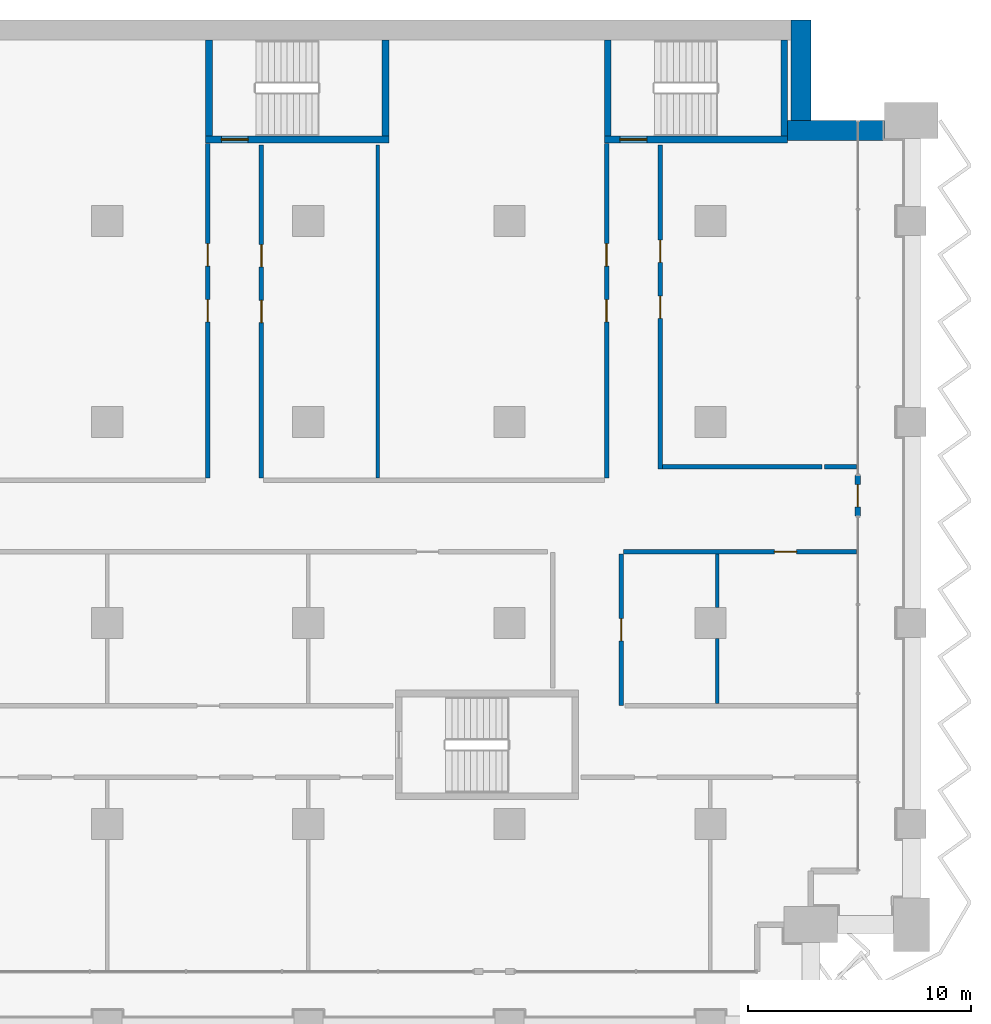
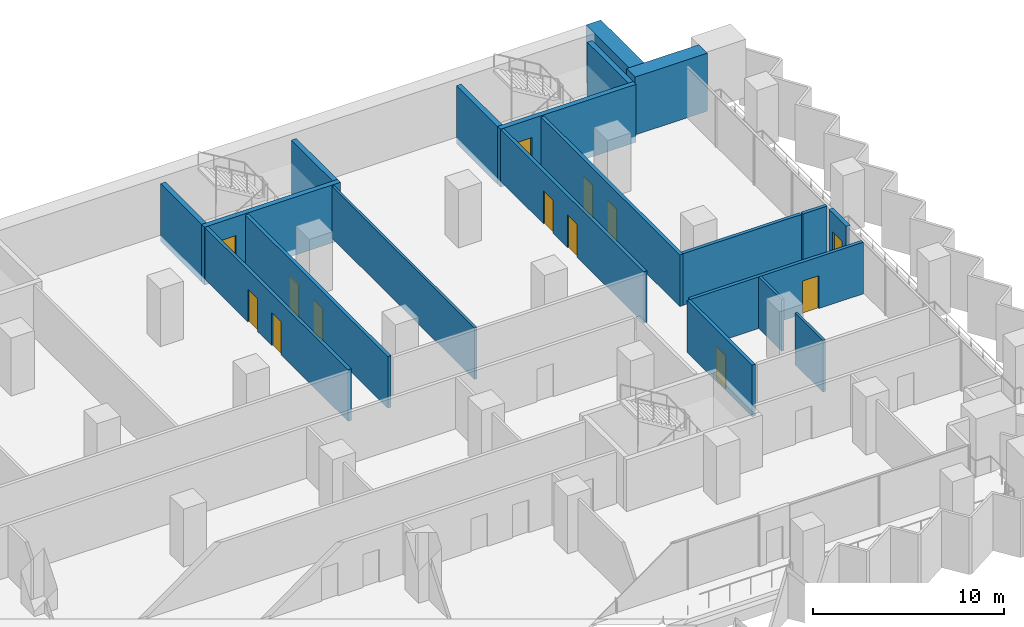
# One storey, part 18 of 28: 20 walls, 13 doors, 13 openings.
"""IFC4 building model written with IfcOpenShell, lengths in metres."""

from ifc_helpers import new_model, si_unit, direction, frame, frame_2d, origin, place, context, subcontext, project, spatial, rectangle, extrude, material, layer, layer_set, type_object, element, fill, save


model = new_model("IFC4")

# Units and contexts
model_context = context("Model", 3, precision=1e-05, world=origin(), true_north=direction((0.0, 1.0)))
body_context = subcontext(model_context, "Body", "Model", "MODEL_VIEW")
ifc_project = project(units=[si_unit("LENGTHUNIT", "METRE"), si_unit("AREAUNIT", "SQUARE_METRE"), si_unit("VOLUMEUNIT", "CUBIC_METRE"), si_unit("PLANEANGLEUNIT", "RADIAN"), si_unit("MASSUNIT", "GRAM", prefix="KILO")], contexts=[model_context])

# Site, building, storey
site_placement = place(None, origin())
site = spatial("IfcSite", under=ifc_project, at=site_placement, CompositionType="ELEMENT")
building_placement = place(site_placement, origin())
building = spatial("IfcBuilding", under=site, at=building_placement, Name="Hunhe Ridgeline Campus", CompositionType="ELEMENT")
storey_placement = place(building_placement, frame((0.0, 0.0, 72.800048828125)))
storey = spatial("IfcBuildingStorey", under=building, at=storey_placement, Name="L17", CompositionType="ELEMENT", Elevation=72.800048828125)

# Wall, opening, door
ifc_material_1 = material(Name="Gypsum board partition")
ifc_layer_1 = layer(ifc_material_1, 0.199951171875)
ifc_layer_set_1 = layer_set([ifc_layer_1], Name="Corridor partition 200 gypsum board on steel studs")
wall_type_1 = type_object("IfcWallType", Name="Corridor partition 200 gypsum board on steel studs", PredefinedType="PARTITIONING", material=ifc_layer_set_1)
wall_1_placement = place(storey_placement, frame((96.544921875, 75.199951171875, 0.0), z_axis=(0.0, 0.0, 1.0), x_axis=(-1.0, 0.0, 0.0)))
wall_1 = element("IfcWall", 1, at=wall_1_placement, inside=storey, type_object=wall_type_1, Name="F-L17-wall-038", PredefinedType="PARTITIONING", context=body_context, shape_type="SweptSolid", body=[
    extrude(rectangle(XDim=10.44482421875, YDim=0.199951171875, at=frame_2d((5.222412109375, 0.0))), origin(), (0.0, 0.0, 1.0), 3.300048828125),
])
opening_1_placement = place(wall_1_placement, frame((2.6845703125, 0.0, 0.0)))
opening_1 = element("IfcOpeningElement", 2, at=opening_1_placement, cuts=wall_1, Name="Opening RD1-035", PredefinedType="OPENING", context=body_context, shape_type="SweptSolid", body=[
    extrude(rectangle(XDim=1.0, YDim=2.10009765625, at=frame_2d((0.5, 1.050048828125))), frame((0.0, 0.10009765625, 0.0), z_axis=(0.0, -1.0, 0.0), x_axis=(1.0, 0.0, 0.0)), (0.0, 0.0, 1.0), 0.199951171875),
])
ifc_material_2 = material(Name="Timber door leaf", Category="wood")
door_type_1 = type_object("IfcDoorType", Name="Single fire door 1000x2100 timber FD60", OperationType="NOTDEFINED", PredefinedType="DOOR", material=ifc_material_2)
door_1_placement = place(opening_1_placement, origin())
door_1 = element("IfcDoor", 3, at=door_1_placement, inside=storey, type_object=door_type_1, Name="F-L17-door-035", OperationType="SINGLE_SWING_RIGHT", OverallHeight=2.10009765625, OverallWidth=1.0, PredefinedType="DOOR", context=body_context, shape_type="SweptSolid", body=[
    extrude(rectangle(XDim=1.0, YDim=2.10009765625, at=frame_2d((0.5, 1.050048828125))), frame((0.0, 0.02490234375, 0.0), z_axis=(0.0, -1.0, 0.0), x_axis=(1.0, 0.0, 0.0)), (0.0, 0.0, 1.0), 0.050048828125),
])
fill(opening_1, door_1)

# Walls
wall_2_placement = place(storey_placement, frame((87.85009765625, 79.0009765625, 0.0), z_axis=(0.0, 0.0, 1.0), x_axis=(1.0, 0.0, 0.0)))
element("IfcWall", 4, at=wall_2_placement, inside=storey, type_object=wall_type_1, Name="F-L17-wall-041", PredefinedType="PARTITIONING", context=body_context, shape_type="SweptSolid", body=[
    extrude(rectangle(XDim=7.14892578125, YDim=0.199951171875, at=frame_2d((3.574462890625, 0.0))), origin(), (0.0, 0.0, 1.0), 3.300048828125),
])
wall_3_placement = place(storey_placement, frame((95.09912109375, 79.0009765625, 0.0), z_axis=(0.0, 0.0, 1.0), x_axis=(1.0, 0.0, 0.0)))
element("IfcWall", 5, at=wall_3_placement, inside=storey, type_object=wall_type_1, Name="F-L17-wall-042", PredefinedType="PARTITIONING", context=body_context, shape_type="SweptSolid", body=[
    extrude(rectangle(XDim=1.44580078125, YDim=0.199951171875, at=frame_2d((0.722900390625, 0.0))), origin(), (0.0, 0.0, 1.0), 3.300048828125),
])

# Wall, openings, doors
wall_4_placement = place(storey_placement, frame((67.5, 78.5, 0.0), z_axis=(0.0, 0.0, 1.0), x_axis=(0.0, 1.0, 0.0)))
wall_4 = element("IfcWall", 6, at=wall_4_placement, inside=storey, type_object=wall_type_1, Name="F-L17-wall-078", PredefinedType="PARTITIONING", context=body_context, shape_type="SweptSolid", body=[
    extrude(rectangle(XDim=14.969970703125, YDim=0.199951171875, at=frame_2d((7.48486328125, 0.0))), origin(), (0.0, 0.0, 1.0), 3.300048828125),
])
opening_2_placement = place(wall_4_placement, frame((6.985107421875, 0.0, 0.0)))
opening_2 = element("IfcOpeningElement", 7, at=opening_2_placement, cuts=wall_4, Name="Opening RD1-040", PredefinedType="OPENING", context=body_context, shape_type="SweptSolid", body=[
    extrude(rectangle(XDim=1.0, YDim=2.10009765625, at=frame_2d((0.5, 1.050048828125))), frame((0.0, 0.10009765625, 0.0), z_axis=(0.0, -1.0, 0.0), x_axis=(1.0, 0.0, 0.0)), (0.0, 0.0, 1.0), 0.199951171875),
])
opening_3_placement = place(wall_4_placement, frame((9.485107421875, 0.0, 0.0)))
opening_3 = element("IfcOpeningElement", 8, at=opening_3_placement, cuts=wall_4, Name="Opening RD1-045", PredefinedType="OPENING", context=body_context, shape_type="SweptSolid", body=[
    extrude(rectangle(XDim=1.0, YDim=2.10009765625, at=frame_2d((0.5, 1.050048828125))), frame((0.0, 0.10009765625, 0.0), z_axis=(0.0, -1.0, 0.0), x_axis=(1.0, 0.0, 0.0)), (0.0, 0.0, 1.0), 0.199951171875),
])
door_2_placement = place(opening_2_placement, frame((1.0, 0.0, 0.0), z_axis=(0.0, 0.0, 1.0), x_axis=(-1.0, 0.0, 0.0)))
door_2 = element("IfcDoor", 9, at=door_2_placement, inside=storey, type_object=door_type_1, Name="F-L17-door-040", OperationType="SINGLE_SWING_LEFT", OverallHeight=2.10009765625, OverallWidth=1.0, PredefinedType="DOOR", context=body_context, shape_type="SweptSolid", body=[
    extrude(rectangle(XDim=1.0, YDim=2.10009765625, at=frame_2d((0.5, 1.050048828125))), frame((0.0, 0.02490234375, 0.0), z_axis=(0.0, -1.0, 0.0), x_axis=(1.0, 0.0, 0.0)), (0.0, 0.0, 1.0), 0.050048828125),
])
fill(opening_2, door_2)
door_3_placement = place(opening_3_placement, frame((1.0, 0.0, 0.0), z_axis=(0.0, 0.0, 1.0), x_axis=(-1.0, 0.0, 0.0)))
door_3 = element("IfcDoor", 10, at=door_3_placement, inside=storey, type_object=door_type_1, Name="F-L17-door-045", OperationType="SINGLE_SWING_LEFT", OverallHeight=2.10009765625, OverallWidth=1.0, PredefinedType="DOOR", context=body_context, shape_type="SweptSolid", body=[
    extrude(rectangle(XDim=1.0, YDim=2.10009765625, at=frame_2d((0.5, 1.050048828125))), frame((0.0, 0.02490234375, 0.0), z_axis=(0.0, -1.0, 0.0), x_axis=(1.0, 0.0, 0.0)), (0.0, 0.0, 1.0), 0.050048828125),
])
fill(opening_3, door_3)

wall_5_placement = place(storey_placement, frame((69.89990234375, 93.39599609375, 0.0), z_axis=(0.0, 0.0, 1.0), x_axis=(0.0, -1.0, 0.0)))
wall_5 = element("IfcWall", 11, at=wall_5_placement, inside=storey, type_object=wall_type_1, Name="F-L17-wall-079", PredefinedType="PARTITIONING", context=body_context, shape_type="SweptSolid", body=[
    extrude(rectangle(XDim=14.89599609375, YDim=0.199951171875, at=frame_2d((7.447998046875, 0.0))), origin(), (0.0, 0.0, 1.0), 3.300048828125),
])
opening_4_placement = place(wall_5_placement, frame((6.947998046875, 0.0, 0.0)))
opening_4 = element("IfcOpeningElement", 12, at=opening_4_placement, cuts=wall_5, Name="Opening RD1-039", PredefinedType="OPENING", context=body_context, shape_type="SweptSolid", body=[
    extrude(rectangle(XDim=1.0, YDim=2.10009765625, at=frame_2d((0.5, 1.050048828125))), frame((0.0, 0.10009765625, 0.0), z_axis=(0.0, -1.0, 0.0), x_axis=(1.0, 0.0, 0.0)), (0.0, 0.0, 1.0), 0.199951171875),
])
opening_5_placement = place(wall_5_placement, frame((4.447998046875, 0.0, 0.0)))
opening_5 = element("IfcOpeningElement", 13, at=opening_5_placement, cuts=wall_5, Name="Opening RD1-044", PredefinedType="OPENING", context=body_context, shape_type="SweptSolid", body=[
    extrude(rectangle(XDim=1.0, YDim=2.10009765625, at=frame_2d((0.5, 1.050048828125))), frame((0.0, 0.10009765625, 0.0), z_axis=(0.0, -1.0, 0.0), x_axis=(1.0, 0.0, 0.0)), (0.0, 0.0, 1.0), 0.199951171875),
])
door_4_placement = place(opening_4_placement, frame((1.0, 0.0, 0.0), z_axis=(0.0, 0.0, 1.0), x_axis=(-1.0, 0.0, 0.0)))
door_4 = element("IfcDoor", 14, at=door_4_placement, inside=storey, type_object=door_type_1, Name="F-L17-door-039", OperationType="SINGLE_SWING_RIGHT", OverallHeight=2.10009765625, OverallWidth=1.0, PredefinedType="DOOR", context=body_context, shape_type="SweptSolid", body=[
    extrude(rectangle(XDim=1.0, YDim=2.10009765625, at=frame_2d((0.5, 1.050048828125))), frame((0.0, 0.02490234375, 0.0), z_axis=(0.0, -1.0, 0.0), x_axis=(1.0, 0.0, 0.0)), (0.0, 0.0, 1.0), 0.050048828125),
])
fill(opening_4, door_4)
door_5_placement = place(opening_5_placement, frame((1.0, 0.0, 0.0), z_axis=(0.0, 0.0, 1.0), x_axis=(-1.0, 0.0, 0.0)))
door_5 = element("IfcDoor", 15, at=door_5_placement, inside=storey, type_object=door_type_1, Name="F-L17-door-044", OperationType="SINGLE_SWING_RIGHT", OverallHeight=2.10009765625, OverallWidth=1.0, PredefinedType="DOOR", context=body_context, shape_type="SweptSolid", body=[
    extrude(rectangle(XDim=1.0, YDim=2.10009765625, at=frame_2d((0.5, 1.050048828125))), frame((0.0, 0.02490234375, 0.0), z_axis=(0.0, -1.0, 0.0), x_axis=(1.0, 0.0, 0.0)), (0.0, 0.0, 1.0), 0.050048828125),
])
fill(opening_5, door_5)

wall_6_placement = place(storey_placement, frame((85.35009765625, 78.5, 0.0), z_axis=(0.0, 0.0, 1.0), x_axis=(0.0, 1.0, 0.0)))
wall_6 = element("IfcWall", 16, at=wall_6_placement, inside=storey, type_object=wall_type_1, Name="F-L17-wall-086", PredefinedType="PARTITIONING", context=body_context, shape_type="SweptSolid", body=[
    extrude(rectangle(XDim=14.969970703125, YDim=0.199951171875, at=frame_2d((7.48486328125, 0.0))), origin(), (0.0, 0.0, 1.0), 3.300048828125),
])
opening_6_placement = place(wall_6_placement, frame((6.985107421875, 0.0, 0.0)))
opening_6 = element("IfcOpeningElement", 17, at=opening_6_placement, cuts=wall_6, Name="Opening RD1-041", PredefinedType="OPENING", context=body_context, shape_type="SweptSolid", body=[
    extrude(rectangle(XDim=1.0, YDim=2.10009765625, at=frame_2d((0.5, 1.050048828125))), frame((0.0, 0.10009765625, 0.0), z_axis=(0.0, -1.0, 0.0), x_axis=(1.0, 0.0, 0.0)), (0.0, 0.0, 1.0), 0.199951171875),
])
opening_7_placement = place(wall_6_placement, frame((9.485107421875, 0.0, 0.0)))
opening_7 = element("IfcOpeningElement", 18, at=opening_7_placement, cuts=wall_6, Name="Opening RD1-046", PredefinedType="OPENING", context=body_context, shape_type="SweptSolid", body=[
    extrude(rectangle(XDim=1.0, YDim=2.10009765625, at=frame_2d((0.5, 1.050048828125))), frame((0.0, 0.10009765625, 0.0), z_axis=(0.0, -1.0, 0.0), x_axis=(1.0, 0.0, 0.0)), (0.0, 0.0, 1.0), 0.199951171875),
])
door_6_placement = place(opening_6_placement, frame((1.0, 0.0, 0.0), z_axis=(0.0, 0.0, 1.0), x_axis=(-1.0, 0.0, 0.0)))
door_6 = element("IfcDoor", 19, at=door_6_placement, inside=storey, type_object=door_type_1, Name="F-L17-door-041", OperationType="SINGLE_SWING_LEFT", OverallHeight=2.10009765625, OverallWidth=1.0, PredefinedType="DOOR", context=body_context, shape_type="SweptSolid", body=[
    extrude(rectangle(XDim=1.0, YDim=2.10009765625, at=frame_2d((0.5, 1.050048828125))), frame((0.0, 0.02490234375, 0.0), z_axis=(0.0, -1.0, 0.0), x_axis=(1.0, 0.0, 0.0)), (0.0, 0.0, 1.0), 0.050048828125),
])
fill(opening_6, door_6)
door_7_placement = place(opening_7_placement, frame((1.0, 0.0, 0.0), z_axis=(0.0, 0.0, 1.0), x_axis=(-1.0, 0.0, 0.0)))
door_7 = element("IfcDoor", 20, at=door_7_placement, inside=storey, type_object=door_type_1, Name="F-L17-door-046", OperationType="SINGLE_SWING_LEFT", OverallHeight=2.10009765625, OverallWidth=1.0, PredefinedType="DOOR", context=body_context, shape_type="SweptSolid", body=[
    extrude(rectangle(XDim=1.0, YDim=2.10009765625, at=frame_2d((0.5, 1.050048828125))), frame((0.0, 0.02490234375, 0.0), z_axis=(0.0, -1.0, 0.0), x_axis=(1.0, 0.0, 0.0)), (0.0, 0.0, 1.0), 0.050048828125),
])
fill(opening_7, door_7)

# Wall, opening, door
wall_7_placement = place(storey_placement, frame((86.0, 75.10009765625, 0.0), z_axis=(0.0, 0.0, 1.0), x_axis=(0.0, -1.0, 0.0)))
wall_7 = element("IfcWall", 21, at=wall_7_placement, inside=storey, type_object=wall_type_1, Name="F-L17-wall-087", PredefinedType="PARTITIONING", context=body_context, shape_type="SweptSolid", body=[
    extrude(rectangle(XDim=6.800048828125, YDim=0.199951171875, at=frame_2d((3.39990234375, 0.0))), origin(), (0.0, 0.0, 1.0), 3.300048828125),
])
opening_8_placement = place(wall_7_placement, frame((2.89990234375, 0.0, 0.0)))
opening_8 = element("IfcOpeningElement", 22, at=opening_8_placement, cuts=wall_7, Name="Opening RD1-033", PredefinedType="OPENING", context=body_context, shape_type="SweptSolid", body=[
    extrude(rectangle(XDim=1.0, YDim=2.10009765625, at=frame_2d((0.5, 1.050048828125))), frame((0.0, 0.10009765625, 0.0), z_axis=(0.0, -1.0, 0.0), x_axis=(1.0, 0.0, 0.0)), (0.0, 0.0, 1.0), 0.199951171875),
])
door_8_placement = place(opening_8_placement, origin())
door_8 = element("IfcDoor", 23, at=door_8_placement, inside=storey, type_object=door_type_1, Name="F-L17-door-033", OperationType="SINGLE_SWING_LEFT", OverallHeight=2.10009765625, OverallWidth=1.0, PredefinedType="DOOR", context=body_context, shape_type="SweptSolid", body=[
    extrude(rectangle(XDim=1.0, YDim=2.10009765625, at=frame_2d((0.5, 1.050048828125))), frame((0.0, 0.02490234375, 0.0), z_axis=(0.0, -1.0, 0.0), x_axis=(1.0, 0.0, 0.0)), (0.0, 0.0, 1.0), 0.050048828125),
])
fill(opening_8, door_8)

# Wall, openings, doors
wall_8_placement = place(storey_placement, frame((87.75, 93.39599609375, 0.0), z_axis=(0.0, 0.0, 1.0), x_axis=(0.0, -1.0, 0.0)))
wall_8 = element("IfcWall", 24, at=wall_8_placement, inside=storey, type_object=wall_type_1, Name="F-L17-wall-088", PredefinedType="PARTITIONING", context=body_context, shape_type="SweptSolid", body=[
    extrude(rectangle(XDim=14.50537109375, YDim=0.199951171875, at=frame_2d((7.252685546875, 0.0))), origin(), (0.0, 0.0, 1.0), 3.300048828125),
])
opening_9_placement = place(wall_8_placement, frame((6.752685546875, 0.0, 0.0)))
opening_9 = element("IfcOpeningElement", 25, at=opening_9_placement, cuts=wall_8, Name="Opening RD1-042", PredefinedType="OPENING", context=body_context, shape_type="SweptSolid", body=[
    extrude(rectangle(XDim=1.0, YDim=2.10009765625, at=frame_2d((0.5, 1.050048828125))), frame((0.0, 0.10009765625, 0.0), z_axis=(0.0, -1.0, 0.0), x_axis=(1.0, 0.0, 0.0)), (0.0, 0.0, 1.0), 0.199951171875),
])
opening_10_placement = place(wall_8_placement, frame((4.252685546875, 0.0, 0.0)))
opening_10 = element("IfcOpeningElement", 26, at=opening_10_placement, cuts=wall_8, Name="Opening RD1-047", PredefinedType="OPENING", context=body_context, shape_type="SweptSolid", body=[
    extrude(rectangle(XDim=1.0, YDim=2.10009765625, at=frame_2d((0.5, 1.050048828125))), frame((0.0, 0.10009765625, 0.0), z_axis=(0.0, -1.0, 0.0), x_axis=(1.0, 0.0, 0.0)), (0.0, 0.0, 1.0), 0.199951171875),
])
door_9_placement = place(opening_9_placement, frame((1.0, 0.0, 0.0), z_axis=(0.0, 0.0, 1.0), x_axis=(-1.0, 0.0, 0.0)))
door_9 = element("IfcDoor", 27, at=door_9_placement, inside=storey, type_object=door_type_1, Name="F-L17-door-042", OperationType="SINGLE_SWING_RIGHT", OverallHeight=2.10009765625, OverallWidth=1.0, PredefinedType="DOOR", context=body_context, shape_type="SweptSolid", body=[
    extrude(rectangle(XDim=1.0, YDim=2.10009765625, at=frame_2d((0.5, 1.050048828125))), frame((0.0, 0.02490234375, 0.0), z_axis=(0.0, -1.0, 0.0), x_axis=(1.0, 0.0, 0.0)), (0.0, 0.0, 1.0), 0.050048828125),
])
fill(opening_9, door_9)
door_10_placement = place(opening_10_placement, frame((1.0, 0.0, 0.0), z_axis=(0.0, 0.0, 1.0), x_axis=(-1.0, 0.0, 0.0)))
door_10 = element("IfcDoor", 28, at=door_10_placement, inside=storey, type_object=door_type_1, Name="F-L17-door-047", OperationType="SINGLE_SWING_RIGHT", OverallHeight=2.10009765625, OverallWidth=1.0, PredefinedType="DOOR", context=body_context, shape_type="SweptSolid", body=[
    extrude(rectangle(XDim=1.0, YDim=2.10009765625, at=frame_2d((0.5, 1.050048828125))), frame((0.0, 0.02490234375, 0.0), z_axis=(0.0, -1.0, 0.0), x_axis=(1.0, 0.0, 0.0)), (0.0, 0.0, 1.0), 0.050048828125),
])
fill(opening_10, door_10)

# Wall, opening, door
ifc_material_3 = material(Name="Concrete C30", Category="concrete")
ifc_layer_2 = layer(ifc_material_3, 0.25)
ifc_layer_set_2 = layer_set([ifc_layer_2], Name="Loggia door pier wall 250 Concrete C30")
wall_type_2 = type_object("IfcWallType", Name="Loggia door pier wall 250 Concrete C30", PredefinedType="SOLIDWALL", material=ifc_layer_set_2)
wall_9_placement = place(storey_placement, frame((96.59912109375, 76.800537109375, 0.0), z_axis=(0.0, 0.0, 1.0), x_axis=(0.0, 1.0, 0.0)))
wall_9 = element("IfcWall", 29, at=wall_9_placement, inside=storey, type_object=wall_type_2, Name="Loggia door pier 5", PredefinedType="SOLIDWALL", context=body_context, shape_type="SweptSolid", body=[
    extrude(rectangle(XDim=1.800048828125, YDim=0.25, at=frame_2d((0.89990234375, 0.0))), origin(), (0.0, 0.0, 1.0), 3.300048828125),
])
opening_11_placement = place(wall_9_placement, frame((0.39990234375, 0.0, 0.0)))
opening_11 = element("IfcOpeningElement", 30, at=opening_11_placement, cuts=wall_9, Name="Opening BD108", PredefinedType="OPENING", context=body_context, shape_type="SweptSolid", body=[
    extrude(rectangle(XDim=1.0, YDim=2.10009765625, at=frame_2d((0.5, 1.050048828125))), frame((0.0, 0.125, 0.0), z_axis=(0.0, -1.0, 0.0), x_axis=(1.0, 0.0, 0.0)), (0.0, 0.0, 1.0), 0.25),
])
ifc_material_4 = material(Name="Aluminium 6063", Category="aluminium")
door_type_2 = type_object("IfcDoorType", Name="Loggia glazed door 1000x2100", OperationType="NOTDEFINED", PredefinedType="DOOR", material=ifc_material_4)
door_11_placement = place(opening_11_placement, frame((1.0, 0.0, 0.0), z_axis=(0.0, 0.0, 1.0), x_axis=(-1.0, 0.0, 0.0)))
door_11 = element("IfcDoor", 31, at=door_11_placement, inside=storey, type_object=door_type_2, Name="Loggia door BD108", OperationType="SINGLE_SWING_LEFT", OverallHeight=2.10009765625, OverallWidth=1.0, PredefinedType="DOOR", context=body_context, shape_type="SweptSolid", body=[
    extrude(rectangle(XDim=1.0, YDim=2.10009765625, at=frame_2d((0.5, 1.050048828125))), frame((0.0, 0.02490234375, 0.0), z_axis=(0.0, -1.0, 0.0), x_axis=(1.0, 0.0, 0.0)), (0.0, 0.0, 1.0), 0.050048828125),
])
fill(opening_11, door_11)

# Walls
ifc_layer_3 = layer(ifc_material_1, 0.14990234375)
ifc_layer_set_3 = layer_set([ifc_layer_3], Name="Room partition 150 gypsum board on steel studs")
wall_type_3 = type_object("IfcWallType", Name="Room partition 150 gypsum board on steel studs", PredefinedType="PARTITIONING", material=ifc_layer_set_3)
wall_10_placement = place(storey_placement, frame((75.10009765625, 93.39599609375, 0.0), z_axis=(0.0, 0.0, 1.0), x_axis=(0.0, -1.0, 0.0)))
element("IfcWall", 32, at=wall_10_placement, inside=storey, type_object=wall_type_3, Name="F-L17-wall-084", PredefinedType="PARTITIONING", context=body_context, shape_type="SweptSolid", body=[
    extrude(rectangle(XDim=14.89599609375, YDim=0.14990234375, at=frame_2d((7.447998046875, 0.0))), origin(), (0.0, 0.0, 1.0), 3.300048828125),
])
wall_11_placement = place(storey_placement, frame((90.300048828125, 71.300048828125, 0.0), z_axis=(0.0, 0.0, 1.0), x_axis=(0.0, -1.0, 0.0)))
element("IfcWall", 33, at=wall_11_placement, inside=storey, type_object=wall_type_3, Name="F-L17-wall-091", PredefinedType="PARTITIONING", context=body_context, shape_type="SweptSolid", body=[
    extrude(rectangle(XDim=2.900146484375, YDim=0.14990234375, at=frame_2d((1.4501953125, 0.0))), origin(), (0.0, 0.0, 1.0), 3.300048828125),
])
wall_12_placement = place(storey_placement, frame((90.300048828125, 75.10009765625, 0.0), z_axis=(0.0, 0.0, 1.0), x_axis=(0.0, -1.0, 0.0)))
element("IfcWall", 34, at=wall_12_placement, inside=storey, type_object=wall_type_3, Name="F-L17-wall-092", PredefinedType="PARTITIONING", context=body_context, shape_type="SweptSolid", body=[
    extrude(rectangle(XDim=2.400146484375, YDim=0.14990234375, at=frame_2d((1.2001953125, 0.0))), origin(), (0.0, 0.0, 1.0), 3.300048828125),
])
ifc_material_5 = material(Name="Concrete C80", Category="concrete")
ifc_layer_4 = layer(ifc_material_5, 0.89990234375)
ifc_layer_set_4 = layer_set([ifc_layer_4], Name="Spine wall 900 Concrete C80")
wall_type_4 = type_object("IfcWallType", Name="Spine wall 900 Concrete C80", PredefinedType="SHEAR", material=ifc_layer_set_4)
wall_13_placement = place(storey_placement, frame((97.800048828125, 94.050048828125, 0.0), z_axis=(0.0, 0.0, 1.0), x_axis=(-1.0, 0.0, 0.0)))
element("IfcWall", 35, at=wall_13_placement, inside=storey, type_object=wall_type_4, Name="Spine wall SW1-2 L17", PredefinedType="SHEAR", context=body_context, shape_type="SweptSolid", body=[
    extrude(rectangle(XDim=4.3505859375, YDim=0.89990234375, at=frame_2d((2.17529296875, 0.0))), origin(), (0.0, 0.0, 1.0), 3.699951171875),
])
wall_14_placement = place(storey_placement, frame((94.050048828125, 93.60009765625, 0.0), z_axis=(0.0, 0.0, 1.0), x_axis=(0.0, 1.0, 0.0)))
element("IfcWall", 36, at=wall_14_placement, inside=storey, type_object=wall_type_4, Name="Spine wall SW1-3 L17", PredefinedType="SHEAR", context=body_context, shape_type="SweptSolid", body=[
    extrude(rectangle(XDim=5.39990234375, YDim=0.89990234375, at=frame_2d((2.699951171875, 0.0))), origin(), (0.0, 0.0, 1.0), 3.699951171875),
])

# Wall, opening, door
ifc_layer_5 = layer(ifc_material_5, 0.300048828125)
ifc_layer_set_5 = layer_set([ifc_layer_5], Name="Stair wall 300 reinforced concrete C80")
wall_type_5 = type_object("IfcWallType", Name="Stair wall 300 reinforced concrete C80", PredefinedType="SOLIDWALL", material=ifc_layer_set_5)
wall_15_placement = place(storey_placement, frame((67.39990234375, 93.64990234375, -0.400146484375), z_axis=(0.0, 0.0, 1.0), x_axis=(1.0, 0.0, 0.0)))
wall_15 = element("IfcWall", 37, at=wall_15_placement, inside=storey, type_object=wall_type_5, Name="L17 core wall 32", PredefinedType="SOLIDWALL", context=body_context, shape_type="SweptSolid", body=[
    extrude(rectangle(XDim=8.2001953125, YDim=0.300048828125, at=frame_2d((4.10009765625, 0.0))), origin(), (0.0, 0.0, 1.0), 3.7001953125),
])
opening_12_placement = place(wall_15_placement, frame((0.699951171875, 0.0, 0.39990234375)))
opening_12 = element("IfcOpeningElement", 38, at=opening_12_placement, cuts=wall_15, Name="Opening CD19", PredefinedType="OPENING", context=body_context, shape_type="SweptSolid", body=[
    extrude(rectangle(XDim=1.199951171875, YDim=2.10009765625, at=frame_2d((0.60009765625, 1.050048828125))), frame((0.0, 0.14990234375, 0.0), z_axis=(0.0, -1.0, 0.0), x_axis=(1.0, 0.0, 0.0)), (0.0, 0.0, 1.0), 0.300048828125),
])
ifc_material_6 = material(Name="Hollow metal fire door leaf")
door_type_3 = type_object("IfcDoorType", Name="Stair door 1200x2100 FD60", OperationType="SINGLE_SWING_LEFT", PredefinedType="DOOR", material=ifc_material_6)
door_12_placement = place(opening_12_placement, frame((1.199951171875, 0.0, 0.0), z_axis=(0.0, 0.0, 1.0), x_axis=(-1.0, 0.0, 0.0)))
door_12 = element("IfcDoor", 39, at=door_12_placement, inside=storey, type_object=door_type_3, Name="L17 door E3", OperationType="SINGLE_SWING_RIGHT", OverallHeight=2.10009765625, OverallWidth=1.199951171875, PredefinedType="DOOR", context=body_context, shape_type="SweptSolid", body=[
    extrude(rectangle(XDim=1.199951171875, YDim=2.10009765625, at=frame_2d((0.60009765625, 1.050048828125))), frame((0.0, 0.02490234375, 0.0), z_axis=(0.0, -1.0, 0.0), x_axis=(1.0, 0.0, 0.0)), (0.0, 0.0, 1.0), 0.050048828125),
])
fill(opening_12, door_12)

wall_16_placement = place(storey_placement, frame((85.25, 93.64990234375, -0.400146484375), z_axis=(0.0, 0.0, 1.0), x_axis=(1.0, 0.0, 0.0)))
wall_16 = element("IfcWall", 40, at=wall_16_placement, inside=storey, type_object=wall_type_5, Name="L17 core wall 33", PredefinedType="SOLIDWALL", context=body_context, shape_type="SweptSolid", body=[
    extrude(rectangle(XDim=8.199951171875, YDim=0.300048828125, at=frame_2d((4.10009765625, 0.0))), origin(), (0.0, 0.0, 1.0), 3.7001953125),
])
opening_13_placement = place(wall_16_placement, frame((0.699951171875, 0.0, 0.39990234375)))
opening_13 = element("IfcOpeningElement", 41, at=opening_13_placement, cuts=wall_16, Name="Opening CD20", PredefinedType="OPENING", context=body_context, shape_type="SweptSolid", body=[
    extrude(rectangle(XDim=1.199951171875, YDim=2.10009765625, at=frame_2d((0.60009765625, 1.050048828125))), frame((0.0, 0.14990234375, 0.0), z_axis=(0.0, -1.0, 0.0), x_axis=(1.0, 0.0, 0.0)), (0.0, 0.0, 1.0), 0.300048828125),
])
door_13_placement = place(opening_13_placement, frame((1.199951171875, 0.0, 0.0), z_axis=(0.0, 0.0, 1.0), x_axis=(-1.0, 0.0, 0.0)))
door_13 = element("IfcDoor", 42, at=door_13_placement, inside=storey, type_object=door_type_3, Name="L17 door E4", OperationType="SINGLE_SWING_LEFT", OverallHeight=2.10009765625, OverallWidth=1.199951171875, PredefinedType="DOOR", context=body_context, shape_type="SweptSolid", body=[
    extrude(rectangle(XDim=1.199951171875, YDim=2.10009765625, at=frame_2d((0.60009765625, 1.050048828125))), frame((0.0, 0.02490234375, 0.0), z_axis=(0.0, -1.0, 0.0), x_axis=(1.0, 0.0, 0.0)), (0.0, 0.0, 1.0), 0.050048828125),
])
fill(opening_13, door_13)

# Walls
for number, where, z_axis, x_axis, name in (
    (43, (67.550048828125, 93.800048828125, -0.400146484375), (0.0, 0.0, 1.0), (0.0, 1.0, 0.0), "L17 core wall 69"),
    (44, (75.449951171875, 93.800048828125, -0.400146484375), (0.0, 0.0, 1.0), (0.0, 1.0, 0.0), "L17 core wall 70"),
    (45, (85.39990234375, 93.800048828125, -0.400146484375), (0.0, 0.0, 1.0), (0.0, 1.0, 0.0), "L17 core wall 73"),
    (46, (93.300048828125, 93.800048828125, -0.400146484375), (0.0, 0.0, 1.0), (0.0, 1.0, 0.0), "L17 core wall 74"),
):
    element("IfcWall", number, at=place(storey_placement, frame(where, z_axis=z_axis, x_axis=x_axis)), inside=storey, type_object=wall_type_5, Name=name, PredefinedType="SOLIDWALL", context=body_context, shape_type="SweptSolid", body=[
        extrude(rectangle(XDim=4.300048828125, YDim=0.300048828125, at=frame_2d((2.14990234375, 0.0))), origin(), (0.0, 0.0, 1.0), 3.7001953125),
    ])

save(model, "model.ifc")
